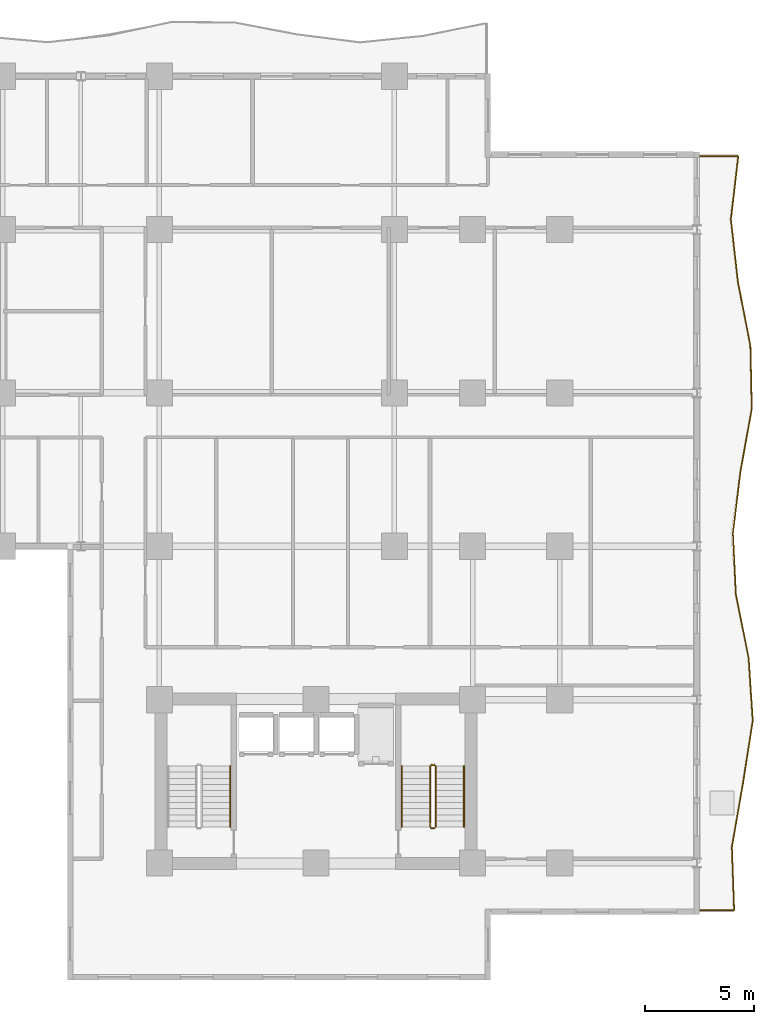
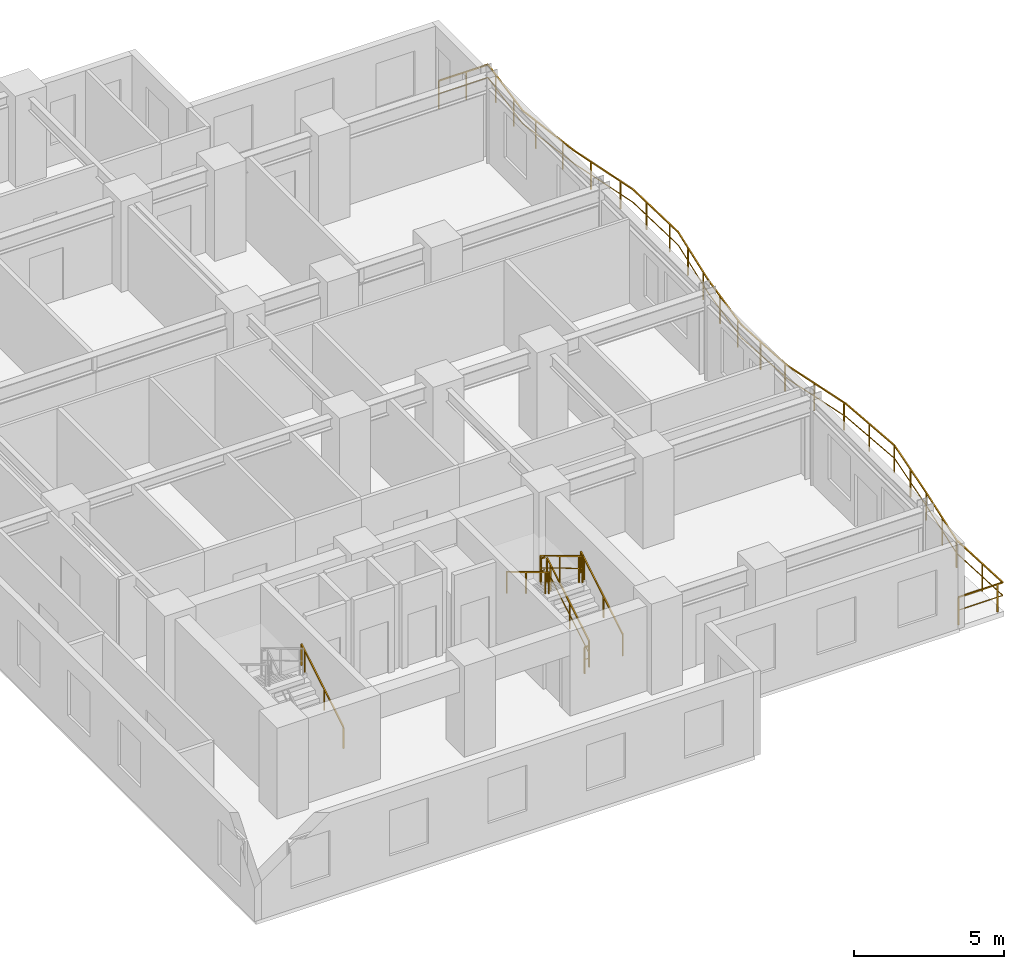
# One storey, part 16 of 18: 8 railings.
"""IFC4 building model written with IfcOpenShell, lengths in metres."""

from ifc_helpers import new_model, si_unit, direction, frame, origin, origin_2d, place, context, subcontext, project, spatial, rectangle, extrude, material, type_object, element, save


model = new_model("IFC4")

# Units and contexts
model_context = context("Model", 3, precision=1e-05, world=origin(), true_north=direction((0.0, 1.0)))
body_context = subcontext(model_context, "Body", "Model", "MODEL_VIEW")
ifc_project = project(units=[si_unit("LENGTHUNIT", "METRE"), si_unit("AREAUNIT", "SQUARE_METRE"), si_unit("VOLUMEUNIT", "CUBIC_METRE"), si_unit("PLANEANGLEUNIT", "RADIAN"), si_unit("MASSUNIT", "GRAM", prefix="KILO")], contexts=[model_context])

# Site, building, storey
site_placement = place(None, origin())
site = spatial("IfcSite", under=ifc_project, at=site_placement, CompositionType="ELEMENT")
building_placement = place(site_placement, origin())
building = spatial("IfcBuilding", under=site, at=building_placement, Name="Kaliganga Portal Commons", CompositionType="ELEMENT")
storey_placement = place(building_placement, frame((0.0, 0.0, 123.0)))
storey = spatial("IfcBuildingStorey", under=building, at=storey_placement, Name="L31", CompositionType="ELEMENT", Elevation=123.0)

# Railings
ifc_material_1 = material(Name="Laminated Safety Glass and Stainless Steel 316", Category="steel")
railing_type_1 = type_object("IfcRailingType", Name="RLG-BAL-1150", PredefinedType="BALUSTRADE", material=ifc_material_1)
railing_1_placement = place(storey_placement, frame((60.7080078125, 4.879638671875, 0.0)))
element("IfcRailing", 1, at=railing_1_placement, inside=storey, type_object=railing_type_1, Name="Balcony Guardrail L31 balc_east", PredefinedType="BALUSTRADE", context=body_context, shape_type="SweptSolid", body=[
    extrude(rectangle(XDim=0.048095703125, YDim=0.048095703125, at=origin_2d()), frame((0.0, 0.0, 1.1259765625), z_axis=(0.99999998979, 0.000142897969, 0.0), x_axis=(-0.000142897969, 0.99999998979, 0.0)), (0.0, 0.0, 1.0), 1.70849609375),
    extrude(rectangle(XDim=0.028076171875, YDim=0.028076171875, at=origin_2d()), frame((0.0, 0.0, 0.597900390625), z_axis=(0.99999998979, 0.000142897969, 0.0), x_axis=(-0.000142897969, 0.99999998979, 0.0)), (0.0, 0.0, 1.0), 1.70849609375),
    extrude(rectangle(XDim=0.048095703125, YDim=0.048095703125, at=origin_2d()), frame((1.70849609375, 0.000244140625, 1.1259765625), z_axis=(-0.035838566739, 0.999357592223, 0.0), x_axis=(-0.999357592223, -0.035838566739, 0.0)), (0.0, 0.0, 1.0), 2.902099609375),
    extrude(rectangle(XDim=0.028076171875, YDim=0.028076171875, at=origin_2d()), frame((1.70849609375, 0.000244140625, 0.597900390625), z_axis=(-0.035838566739, 0.999357592223, 0.0), x_axis=(-0.999357592223, -0.035838566739, 0.0)), (0.0, 0.0, 1.0), 2.902099609375),
    extrude(rectangle(XDim=0.048095703125, YDim=0.048095703125, at=origin_2d()), frame((1.6044921875, 2.900390625, 1.1259765625), z_axis=(0.171603686447, 0.985166064579, 0.0), x_axis=(-0.985166064579, 0.171603686447, 0.0)), (0.0, 0.0, 1.0), 2.943603515625),
    extrude(rectangle(XDim=0.028076171875, YDim=0.028076171875, at=origin_2d()), frame((1.6044921875, 2.900390625, 0.597900390625), z_axis=(0.171603686447, 0.985166064579, 0.0), x_axis=(-0.985166064579, 0.171603686447, 0.0)), (0.0, 0.0, 1.0), 2.943603515625),
    extrude(rectangle(XDim=0.048095703125, YDim=0.048095703125, at=origin_2d()), frame((2.109619140625, 5.80029296875, 1.1259765625), z_axis=(0.15471943378, 0.987958448929, 0.0), x_axis=(-0.987958448929, 0.15471943378, 0.0)), (0.0, 0.0, 1.0), 2.93505859375),
    extrude(rectangle(XDim=0.028076171875, YDim=0.028076171875, at=origin_2d()), frame((2.109619140625, 5.80029296875, 0.597900390625), z_axis=(0.15471943378, 0.987958448929, 0.0), x_axis=(-0.987958448929, 0.15471943378, 0.0)), (0.0, 0.0, 1.0), 2.93505859375),
    extrude(rectangle(XDim=0.048095703125, YDim=0.048095703125, at=origin_2d()), frame((2.563720703125, 8.699951171875, 1.1259765625), z_axis=(-0.065191888456, 0.997872746235, 0.0), x_axis=(-0.997872746235, -0.065191888456, 0.0)), (0.0, 0.0, 1.0), 2.906005859375),
    extrude(rectangle(XDim=0.028076171875, YDim=0.028076171875, at=origin_2d()), frame((2.563720703125, 8.699951171875, 0.597900390625), z_axis=(-0.065191888456, 0.997872746235, 0.0), x_axis=(-0.997872746235, -0.065191888456, 0.0)), (0.0, 0.0, 1.0), 2.906005859375),
    extrude(rectangle(XDim=0.048095703125, YDim=0.048095703125, at=origin_2d()), frame((2.374267578125, 11.599853515625, 1.1259765625), z_axis=(-0.197226878417, 0.980357872631, 0.0), x_axis=(-0.980357872631, -0.197226878417, 0.0)), (0.0, 0.0, 1.0), 2.95849609375),
    extrude(rectangle(XDim=0.028076171875, YDim=0.028076171875, at=origin_2d()), frame((2.374267578125, 11.599853515625, 0.597900390625), z_axis=(-0.197226878417, 0.980357872631, 0.0), x_axis=(-0.980357872631, -0.197226878417, 0.0)), (0.0, 0.0, 1.0), 2.95849609375),
    extrude(rectangle(XDim=0.048095703125, YDim=0.048095703125, at=origin_2d()), frame((1.790771484375, 14.500244140625, 1.1259765625), z_axis=(-0.050148923527, 0.998741751139, 0.0), x_axis=(-0.998741751139, -0.050148923527, 0.0)), (0.0, 0.0, 1.0), 2.82373046875),
    extrude(rectangle(XDim=0.028076171875, YDim=0.028076171875, at=origin_2d()), frame((1.790771484375, 14.500244140625, 0.597900390625), z_axis=(-0.050148923527, 0.998741751139, 0.0), x_axis=(-0.998741751139, -0.050148923527, 0.0)), (0.0, 0.0, 1.0), 2.82373046875),
    extrude(rectangle(XDim=0.048095703125, YDim=0.048095703125, at=origin_2d()), frame((1.649169921875, 17.3203125, 1.1259765625), z_axis=(0.122342693369, 0.992487916994, 0.0), x_axis=(-0.992487916994, 0.122342693369, 0.0)), (0.0, 0.0, 1.0), 2.841552734375),
    extrude(rectangle(XDim=0.028076171875, YDim=0.028076171875, at=origin_2d()), frame((1.649169921875, 17.3203125, 0.597900390625), z_axis=(0.122342693369, 0.992487916994, 0.0), x_axis=(-0.992487916994, 0.122342693369, 0.0)), (0.0, 0.0, 1.0), 2.841552734375),
    extrude(rectangle(XDim=0.048095703125, YDim=0.048095703125, at=origin_2d()), frame((1.996826171875, 20.140625, 1.1259765625), z_axis=(0.177441853143, 0.98413128634, 0.0), x_axis=(-0.98413128634, 0.177441853143, 0.0)), (0.0, 0.0, 1.0), 2.947265625),
    extrude(rectangle(XDim=0.028076171875, YDim=0.028076171875, at=origin_2d()), frame((1.996826171875, 20.140625, 0.597900390625), z_axis=(0.177441853143, 0.98413128634, 0.0), x_axis=(-0.98413128634, 0.177441853143, 0.0)), (0.0, 0.0, 1.0), 2.947265625),
    extrude(rectangle(XDim=0.048095703125, YDim=0.048095703125, at=origin_2d()), frame((2.519775390625, 23.041015625, 1.1259765625), z_axis=(-0.021969942146, 0.999758631692, 0.0), x_axis=(-0.999758631692, -0.021969942146, 0.0)), (0.0, 0.0, 1.0), 2.900390625),
    extrude(rectangle(XDim=0.028076171875, YDim=0.028076171875, at=origin_2d()), frame((2.519775390625, 23.041015625, 0.597900390625), z_axis=(-0.021969942146, 0.999758631692, 0.0), x_axis=(-0.999758631692, -0.021969942146, 0.0)), (0.0, 0.0, 1.0), 2.900390625),
    extrude(rectangle(XDim=0.048095703125, YDim=0.048095703125, at=origin_2d()), frame((2.4560546875, 25.940673828125, 1.1259765625), z_axis=(-0.192348936097, 0.981326595371, 0.0), x_axis=(-0.981326595371, -0.192348936097, 0.0)), (0.0, 0.0, 1.0), 2.954833984375),
    extrude(rectangle(XDim=0.028076171875, YDim=0.028076171875, at=origin_2d()), frame((2.4560546875, 25.940673828125, 0.597900390625), z_axis=(-0.192348936097, 0.981326595371, 0.0), x_axis=(-0.981326595371, -0.192348936097, 0.0)), (0.0, 0.0, 1.0), 2.954833984375),
    extrude(rectangle(XDim=0.048095703125, YDim=0.048095703125, at=origin_2d()), frame((1.8876953125, 28.84033203125, 1.1259765625), z_axis=(-0.113084221633, 0.9935854059, 0.0), x_axis=(-0.9935854059, -0.113084221633, 0.0)), (0.0, 0.0, 1.0), 2.9189453125),
    extrude(rectangle(XDim=0.028076171875, YDim=0.028076171875, at=origin_2d()), frame((1.8876953125, 28.84033203125, 0.597900390625), z_axis=(-0.113084221633, 0.9935854059, 0.0), x_axis=(-0.9935854059, -0.113084221633, 0.0)), (0.0, 0.0, 1.0), 2.9189453125),
    extrude(rectangle(XDim=0.048095703125, YDim=0.048095703125, at=origin_2d()), frame((1.5576171875, 31.740478515625, 1.1259765625), z_axis=(0.11664233955, 0.993173985072, 0.0), x_axis=(-0.993173985072, 0.11664233955, 0.0)), (0.0, 0.0, 1.0), 2.919921875),
    extrude(rectangle(XDim=0.028076171875, YDim=0.028076171875, at=origin_2d()), frame((1.5576171875, 31.740478515625, 0.597900390625), z_axis=(0.11664233955, 0.993173985072, 0.0), x_axis=(-0.993173985072, 0.11664233955, 0.0)), (0.0, 0.0, 1.0), 2.919921875),
    extrude(rectangle(XDim=0.048095703125, YDim=0.048095703125, at=origin_2d()), frame((1.898193359375, 34.640380859375, 1.1259765625), z_axis=(-0.999999966915, 0.000257234718, 0.0), x_axis=(-0.000257234718, -0.999999966915, 0.0)), (0.0, 0.0, 1.0), 1.898193359375),
    extrude(rectangle(XDim=0.028076171875, YDim=0.028076171875, at=origin_2d()), frame((1.898193359375, 34.640380859375, 0.597900390625), z_axis=(-0.999999966915, 0.000257234718, 0.0), x_axis=(-0.000257234718, -0.999999966915, 0.0)), (0.0, 0.0, 1.0), 1.898193359375),
    extrude(rectangle(XDim=0.0419921875, YDim=0.0419921875, at=origin_2d()), origin(), (0.0, 0.0, 1.0), 1.101806640625),
    extrude(rectangle(XDim=0.0419921875, YDim=0.0419921875, at=origin_2d()), frame((1.5, 0.000244140625, 0.0)), (0.0, 0.0, 1.0), 1.101806640625),
    extrude(rectangle(XDim=0.0419921875, YDim=0.0419921875, at=origin_2d()), frame((1.662109375, 1.291015625, 0.0)), (0.0, 0.0, 1.0), 1.101806640625),
    extrude(rectangle(XDim=0.0419921875, YDim=0.0419921875, at=origin_2d()), frame((1.6044921875, 2.900390625, 0.0)), (0.0, 0.0, 1.0), 1.101806640625),
    extrude(rectangle(XDim=0.0419921875, YDim=0.0419921875, at=origin_2d()), frame((1.843017578125, 4.269287109375, 0.0)), (0.0, 0.0, 1.0), 1.101806640625),
    extrude(rectangle(XDim=0.0419921875, YDim=0.0419921875, at=origin_2d()), frame((2.109619140625, 5.80029296875, 0.0)), (0.0, 0.0, 1.0), 1.101806640625),
    extrude(rectangle(XDim=0.0419921875, YDim=0.0419921875, at=origin_2d()), frame((2.333251953125, 7.228759765625, 0.0)), (0.0, 0.0, 1.0), 1.101806640625),
    extrude(rectangle(XDim=0.0419921875, YDim=0.0419921875, at=origin_2d()), frame((2.56298828125, 8.7109375, 0.0)), (0.0, 0.0, 1.0), 1.101806640625),
    extrude(rectangle(XDim=0.0419921875, YDim=0.0419921875, at=origin_2d()), frame((2.46533203125, 10.207763671875, 0.0)), (0.0, 0.0, 1.0), 1.101806640625),
    extrude(rectangle(XDim=0.0419921875, YDim=0.0419921875, at=origin_2d()), frame((2.353515625, 11.70263671875, 0.0)), (0.0, 0.0, 1.0), 1.101806640625),
    extrude(rectangle(XDim=0.0419921875, YDim=0.0419921875, at=origin_2d()), frame((2.057861328125, 13.173095703125, 0.0)), (0.0, 0.0, 1.0), 1.101806640625),
    extrude(rectangle(XDim=0.0419921875, YDim=0.0419921875, at=origin_2d()), frame((1.783447265625, 14.646484375, 0.0)), (0.0, 0.0, 1.0), 1.101806640625),
    extrude(rectangle(XDim=0.0419921875, YDim=0.0419921875, at=origin_2d()), frame((1.708251953125, 16.14453125, 0.0)), (0.0, 0.0, 1.0), 1.101806640625),
    extrude(rectangle(XDim=0.0419921875, YDim=0.0419921875, at=origin_2d()), frame((1.688720703125, 17.640625, 0.0)), (0.0, 0.0, 1.0), 1.101806640625),
    extrude(rectangle(XDim=0.0419921875, YDim=0.0419921875, at=origin_2d()), frame((1.8720703125, 19.12939453125, 0.0)), (0.0, 0.0, 1.0), 1.101806640625),
    extrude(rectangle(XDim=0.0419921875, YDim=0.0419921875, at=origin_2d()), frame((2.082275390625, 20.614013671875, 0.0)), (0.0, 0.0, 1.0), 1.101806640625),
    extrude(rectangle(XDim=0.0419921875, YDim=0.0419921875, at=origin_2d()), frame((2.348388671875, 22.09033203125, 0.0)), (0.0, 0.0, 1.0), 1.101806640625),
    extrude(rectangle(XDim=0.0419921875, YDim=0.0419921875, at=origin_2d()), frame((2.508056640625, 23.57470703125, 0.0)), (0.0, 0.0, 1.0), 1.101806640625),
    extrude(rectangle(XDim=0.0419921875, YDim=0.0419921875, at=origin_2d()), frame((2.47509765625, 25.074462890625, 0.0)), (0.0, 0.0, 1.0), 1.101806640625),
    extrude(rectangle(XDim=0.0419921875, YDim=0.0419921875, at=origin_2d()), frame((2.334228515625, 26.5625, 0.0)), (0.0, 0.0, 1.0), 1.101806640625),
    extrude(rectangle(XDim=0.0419921875, YDim=0.0419921875, at=origin_2d()), frame((2.045654296875, 28.034423828125, 0.0)), (0.0, 0.0, 1.0), 1.101806640625),
    extrude(rectangle(XDim=0.0419921875, YDim=0.0419921875, at=origin_2d()), frame((1.81103515625, 29.5146484375, 0.0)), (0.0, 0.0, 1.0), 1.101806640625),
    extrude(rectangle(XDim=0.0419921875, YDim=0.0419921875, at=origin_2d()), frame((1.641357421875, 31.005126953125, 0.0)), (0.0, 0.0, 1.0), 1.101806640625),
    extrude(rectangle(XDim=0.0419921875, YDim=0.0419921875, at=origin_2d()), frame((1.646240234375, 32.4951171875, 0.0)), (0.0, 0.0, 1.0), 1.101806640625),
    extrude(rectangle(XDim=0.0419921875, YDim=0.0419921875, at=origin_2d()), frame((1.8212890625, 33.98486328125, 0.0)), (0.0, 0.0, 1.0), 1.101806640625),
    extrude(rectangle(XDim=0.0419921875, YDim=0.0419921875, at=origin_2d()), frame((1.05810546875, 34.640625, 0.0)), (0.0, 0.0, 1.0), 1.101806640625),
    extrude(rectangle(XDim=0.0419921875, YDim=0.0419921875, at=origin_2d()), frame((0.0, 34.640869140625, 0.0)), (0.0, 0.0, 1.0), 1.101806640625),
])
ifc_material_2 = material(Name="Galvanized Painted Steel Balustrade", Category="steel")
railing_type_2 = type_object("IfcRailingType", Name="RLG-STAIR-GRD", PredefinedType="GUARDRAIL", material=ifc_material_2)
railing_2_placement = place(storey_placement, frame((48.699951171875, 8.699951171875, 0.168212890625)))
element("IfcRailing", 2, at=railing_2_placement, inside=storey, type_object=railing_type_2, Name="L31 ST-B2 stair guard 1", PredefinedType="GUARDRAIL", context=body_context, shape_type="SweptSolid", body=[
    extrude(rectangle(XDim=0.048095703125, YDim=0.048095703125, at=origin_2d()), frame((0.0, 0.0, 1.072021484375), z_axis=(0.0, 0.857242210791, 0.514913383045), x_axis=(-1.0, 0.0, 0.0)), (0.0, 0.0, 1.0), 3.266357421875),
    extrude(rectangle(XDim=0.028076171875, YDim=0.028076171875, at=origin_2d()), frame((0.0, 0.0, 0.572021484375), z_axis=(0.0, 0.857242210791, 0.514913383045), x_axis=(-1.0, 0.0, 0.0)), (0.0, 0.0, 1.0), 3.266357421875),
    extrude(rectangle(XDim=0.0419921875, YDim=0.0419921875, at=origin_2d()), origin(), (0.0, 0.0, 1.0), 1.052001953125),
    extrude(rectangle(XDim=0.0419921875, YDim=0.0419921875, at=origin_2d()), frame((0.0, 1.285888671875, 0.7724609375)), (0.0, 0.0, 1.0), 1.052001953125),
    extrude(rectangle(XDim=0.0419921875, YDim=0.0419921875, at=origin_2d()), frame((0.0, 2.57177734375, 1.544677734375)), (0.0, 0.0, 1.0), 1.052001953125),
    extrude(rectangle(XDim=0.0419921875, YDim=0.0419921875, at=origin_2d()), frame((0.0, 2.800048828125, 1.681884765625)), (0.0, 0.0, 1.0), 1.052001953125),
])
railing_3_placement = place(storey_placement, frame((48.64990234375, 11.550048828125, 1.85009765625)))
element("IfcRailing", 3, at=railing_3_placement, inside=storey, type_object=railing_type_2, Name="L31 ST-B2 stair guard 2", PredefinedType="GUARDRAIL", context=body_context, shape_type="SweptSolid", body=[
    extrude(rectangle(XDim=0.048095703125, YDim=0.048095703125, at=origin_2d()), frame((0.0, 0.0, 1.076171875), z_axis=(-1.0, 0.0, 0.0), x_axis=(0.0, -1.0, 0.0)), (0.0, 0.0, 1.0), 0.14990234375),
    extrude(rectangle(XDim=0.028076171875, YDim=0.028076171875, at=origin_2d()), frame((0.0, 0.0, 0.572021484375), z_axis=(-1.0, 0.0, 0.0), x_axis=(0.0, -1.0, 0.0)), (0.0, 0.0, 1.0), 0.14990234375),
    extrude(rectangle(XDim=0.0419921875, YDim=0.0419921875, at=origin_2d()), frame((-0.14990234375, 0.0, 0.0)), (0.0, 0.0, 1.0), 1.052001953125),
])
railing_4_placement = place(storey_placement, frame((48.449951171875, 11.5, 2.01806640625)))
element("IfcRailing", 4, at=railing_4_placement, inside=storey, type_object=railing_type_2, Name="L31 ST-B2 stair guard 3", PredefinedType="GUARDRAIL", context=body_context, shape_type="SweptSolid", body=[
    extrude(rectangle(XDim=0.048095703125, YDim=0.048095703125, at=origin_2d()), frame((0.0, 0.0, 1.072021484375), z_axis=(0.0, -0.857242210791, 0.514913383045), x_axis=(1.0, 0.0, 0.0)), (0.0, 0.0, 1.0), 3.266357421875),
    extrude(rectangle(XDim=0.028076171875, YDim=0.028076171875, at=origin_2d()), frame((0.0, 0.0, 0.572021484375), z_axis=(0.0, -0.857242210791, 0.514913383045), x_axis=(1.0, 0.0, 0.0)), (0.0, 0.0, 1.0), 3.266357421875),
    extrude(rectangle(XDim=0.0419921875, YDim=0.0419921875, at=origin_2d()), origin(), (0.0, 0.0, 1.0), 1.052001953125),
    extrude(rectangle(XDim=0.0419921875, YDim=0.0419921875, at=origin_2d()), frame((0.0, -1.285888671875, 0.7724609375)), (0.0, 0.0, 1.0), 1.052001953125),
    extrude(rectangle(XDim=0.0419921875, YDim=0.0419921875, at=origin_2d()), frame((0.0, -2.57177734375, 1.544677734375)), (0.0, 0.0, 1.0), 1.052001953125),
    extrude(rectangle(XDim=0.0419921875, YDim=0.0419921875, at=origin_2d()), frame((0.0, -2.800048828125, 1.681884765625)), (0.0, 0.0, 1.0), 1.052001953125),
])
railing_5_placement = place(storey_placement, frame((48.64990234375, 8.64990234375, 0.0)))
element("IfcRailing", 5, at=railing_5_placement, inside=storey, type_object=railing_type_2, Name="L31 ST-B2 stair guard 4", PredefinedType="GUARDRAIL", context=body_context, shape_type="SweptSolid", body=[
    extrude(rectangle(XDim=0.048095703125, YDim=0.048095703125, at=origin_2d()), frame((0.0, 0.0, 1.076171875), z_axis=(-1.0, 0.0, 0.0), x_axis=(0.0, -1.0, 0.0)), (0.0, 0.0, 1.0), 0.14990234375),
    extrude(rectangle(XDim=0.028076171875, YDim=0.028076171875, at=origin_2d()), frame((0.0, 0.0, 0.572021484375), z_axis=(-1.0, 0.0, 0.0), x_axis=(0.0, -1.0, 0.0)), (0.0, 0.0, 1.0), 0.14990234375),
    extrude(rectangle(XDim=0.0419921875, YDim=0.0419921875, at=origin_2d()), frame((-0.14990234375, 0.0, 0.0)), (0.0, 0.0, 1.0), 1.052001953125),
])
ifc_material_3 = material(Name="Brushed Stainless Steel 316", Category="steel")
railing_type_3 = type_object("IfcRailingType", Name="RLG-STAIR-HR", PredefinedType="HANDRAIL", material=ifc_material_3)
for number, where, name in (
    (6, (39.25, 8.699951171875, 0.168212890625), "L31 ST-B1 stair handrail 1"),
    (7, (50.0, 8.699951171875, 0.168212890625), "L31 ST-B2 stair handrail 1"),
):
    element("IfcRailing", number, at=place(storey_placement, frame(where)), inside=storey, type_object=railing_type_3, Name=name, PredefinedType="HANDRAIL", context=body_context, shape_type="SweptSolid", body=[
        extrude(rectangle(XDim=0.048095703125, YDim=0.048095703125, at=origin_2d()), frame((0.0, 0.0, 0.871826171875), z_axis=(0.0, 0.857242210791, 0.514913383045), x_axis=(-1.0, 0.0, 0.0)), (0.0, 0.0, 1.0), 3.266357421875),
        extrude(rectangle(XDim=0.0419921875, YDim=0.0419921875, at=origin_2d()), origin(), (0.0, 0.0, 1.0), 0.851806640625),
        extrude(rectangle(XDim=0.0419921875, YDim=0.0419921875, at=origin_2d()), frame((0.0, 1.285888671875, 0.7724609375)), (0.0, 0.0, 1.0), 0.851806640625),
        extrude(rectangle(XDim=0.0419921875, YDim=0.0419921875, at=origin_2d()), frame((0.0, 2.57177734375, 1.544677734375)), (0.0, 0.0, 1.0), 0.851806640625),
        extrude(rectangle(XDim=0.0419921875, YDim=0.0419921875, at=origin_2d()), frame((0.0, 2.800048828125, 1.681884765625)), (0.0, 0.0, 1.0), 0.851806640625),
    ])
railing_6_placement = place(storey_placement, frame((47.14990234375, 11.5, 2.01806640625)))
element("IfcRailing", 8, at=railing_6_placement, inside=storey, type_object=railing_type_3, Name="L31 ST-B2 stair handrail 2", PredefinedType="HANDRAIL", context=body_context, shape_type="SweptSolid", body=[
    extrude(rectangle(XDim=0.048095703125, YDim=0.048095703125, at=origin_2d()), frame((0.0, 0.0, 0.871826171875), z_axis=(0.0, -0.857242210791, 0.514913383045), x_axis=(1.0, 0.0, 0.0)), (0.0, 0.0, 1.0), 3.266357421875),
    extrude(rectangle(XDim=0.0419921875, YDim=0.0419921875, at=origin_2d()), origin(), (0.0, 0.0, 1.0), 0.851806640625),
    extrude(rectangle(XDim=0.0419921875, YDim=0.0419921875, at=origin_2d()), frame((0.0, -1.285888671875, 0.7724609375)), (0.0, 0.0, 1.0), 0.851806640625),
    extrude(rectangle(XDim=0.0419921875, YDim=0.0419921875, at=origin_2d()), frame((0.0, -2.57177734375, 1.544677734375)), (0.0, 0.0, 1.0), 0.851806640625),
    extrude(rectangle(XDim=0.0419921875, YDim=0.0419921875, at=origin_2d()), frame((0.0, -2.800048828125, 1.681884765625)), (0.0, 0.0, 1.0), 0.851806640625),
])

save(model, "model.ifc")
